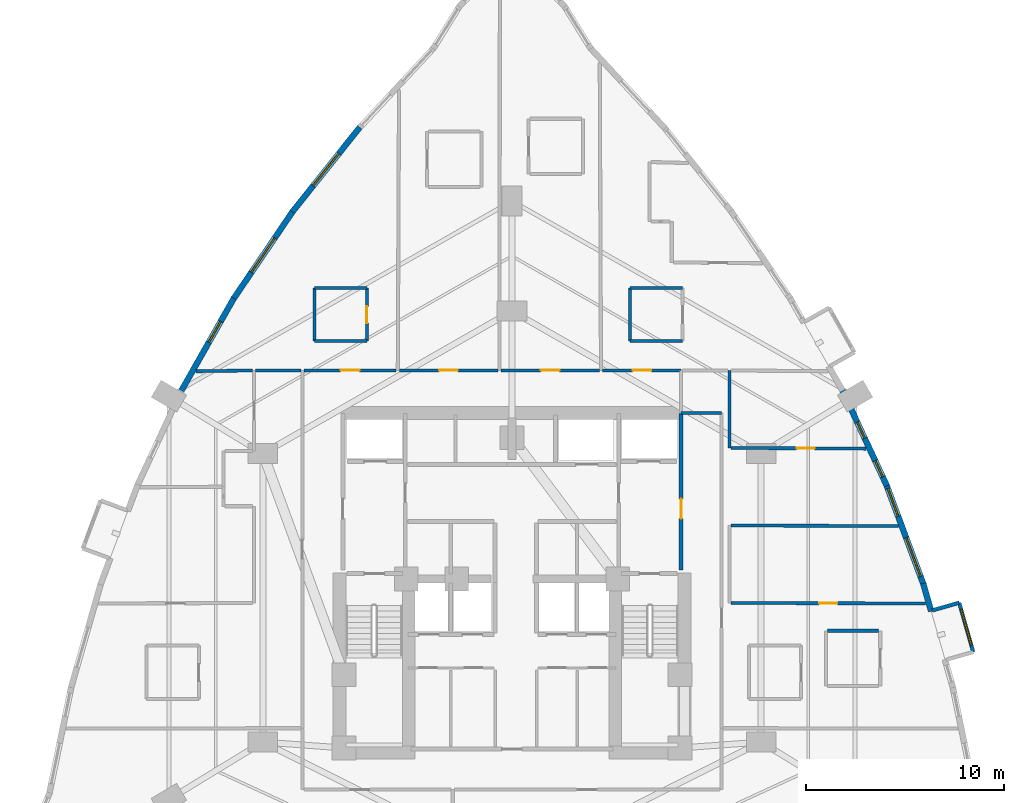
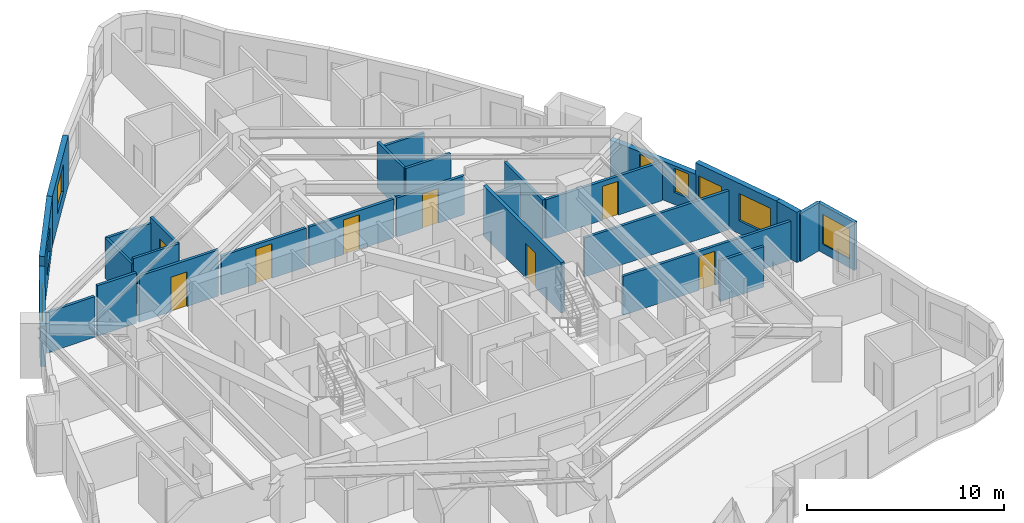
# One storey, part 10 of 13: 28 walls, 8 doors, 8 windows, 16 openings.
"""IFC4 building model written with IfcOpenShell, lengths in metres."""

import ifcopenshell
import ifcopenshell.guid

model = None  # the IFC model being written
_history = None  # IfcOwnerHistory: only IFC2X3 demands one
_inside = {}  # id of a spatial element -> (the spatial element, [elements in it])
_under = {}  # id of a project, library or spatial element -> (it, [spatial elements below it])
_declared = {}  # id of a project -> (the project, [libraries it declares])
_typed = {}  # id of a type object -> (the type object, [elements of that type])
_made_of = {}  # id of a material, layer set ... -> (it, [elements and type objects made of it])


def new_model(schema):
    """Start an empty IFC model of exactly this schema.

    Asked for "IFC4X3", IfcOpenShell would pick the latest addendum, in which some entities
    have other attributes; the version numbers below select the first issue.
    IFC2X3 requires an IfcOwnerHistory on every rooted entity: one is made here for all.
    """
    global model, _history
    if schema == "IFC4X3":
        model = ifcopenshell.file(schema_version=(4, 3, 0, 0))
    else:
        model = ifcopenshell.file(schema=schema)
    _inside.clear()
    _under.clear()
    _declared.clear()
    _typed.clear()
    _made_of.clear()
    _history = None
    if model.schema == "IFC2X3":
        org = make("IfcOrganization", Name="unknown")
        user = make(
            "IfcPersonAndOrganization",
            ThePerson=make("IfcPerson", FamilyName="unknown"),
            TheOrganization=org,
        )
        app = make(
            "IfcApplication",
            ApplicationDeveloper=org,
            Version="unknown",
            ApplicationFullName="unknown",
            ApplicationIdentifier="unknown",
        )
        _history = make(
            "IfcOwnerHistory",
            OwningUser=user,
            OwningApplication=app,
            ChangeAction="ADDED",
            CreationDate=0,
        )
    return model


def make(cls, **values):
    """One entity of the class cls with the attributes given. An attribute that is None is left unset."""
    return model.create_entity(
        cls, **{name: value for name, value in values.items() if value is not None}
    )


def rooted(cls, **values):
    """An entity with a GlobalId (a new one), such as an element, a storey or a relation."""
    return make(cls, GlobalId=ifcopenshell.guid.new(), OwnerHistory=_history, **values)


def si_unit(unit_type, name, prefix=None):
    """IfcSIUnit, for example si_unit("LENGTHUNIT", "METRE", prefix="MILLI")."""
    return make("IfcSIUnit", UnitType=unit_type, Prefix=prefix, Name=name)


def assignment(units):
    """IfcUnitAssignment: the units of a project."""
    return None if units is None else make("IfcUnitAssignment", Units=units)


def point(xyz):
    """IfcCartesianPoint."""
    return None if xyz is None else make("IfcCartesianPoint", Coordinates=xyz)


def direction(xyz):
    """IfcDirection."""
    return None if xyz is None else make("IfcDirection", DirectionRatios=xyz)


def frame(location, z_axis=None, x_axis=None):
    """IfcAxis2Placement3D, a coordinate frame: its origin and axes. An axis left out is left unset."""
    return make(
        "IfcAxis2Placement3D",
        Location=point(location),
        Axis=direction(z_axis),
        RefDirection=direction(x_axis),
    )


def frame_2d(location, x_axis=None):
    """IfcAxis2Placement2D, a coordinate frame in the plane: its origin and x axis."""
    return make(
        "IfcAxis2Placement2D", Location=point(location), RefDirection=direction(x_axis)
    )


def origin():
    """The frame at (0, 0, 0) with its axes left unset."""
    return frame((0.0, 0.0, 0.0))


def place(relative_to, where):
    """IfcLocalPlacement: puts the frame where relative to a parent placement (None: the world)."""
    return make(
        "IfcLocalPlacement", PlacementRelTo=relative_to, RelativePlacement=where
    )


def context(
    kind, dimensions, precision=None, world=None, true_north=None, identifier=None
):
    """IfcGeometricRepresentationContext, for example the 3D "Model" context."""
    return make(
        "IfcGeometricRepresentationContext",
        ContextIdentifier=identifier,
        ContextType=kind,
        CoordinateSpaceDimension=dimensions,
        Precision=precision,
        WorldCoordinateSystem=world,
        TrueNorth=true_north,
    )


def subcontext(parent, identifier, kind, view, scale=None):
    """IfcGeometricRepresentationSubContext, for example "Body" below "Model"."""
    return make(
        "IfcGeometricRepresentationSubContext",
        ContextIdentifier=identifier,
        ContextType=kind,
        ParentContext=parent,
        TargetScale=scale,
        TargetView=view,
    )


def project(units=None, contexts=None):
    """IfcProject with its units and contexts."""
    return rooted(
        "IfcProject",
        Name="project",
        RepresentationContexts=contexts,
        UnitsInContext=assignment(units),
    )


def spatial(cls, under=None, at=None, **own):
    """A site, building, storey or space (cls), placed at a placement, below another one or the project."""
    s = rooted(cls, ObjectPlacement=at, **own)
    if under is not None:
        _under.setdefault(under.id(), (under, []))[1].append(s)
    return s


def profile(cls, at=None, kind="AREA", **sizes):
    """A parametric profile (cls). Its sizes go by their IFC names, for example OverallWidth=200.0."""
    return make(cls, ProfileType=kind, Position=at, **sizes)


def rectangle(**sizes):
    """IfcRectangleProfileDef."""
    return profile("IfcRectangleProfileDef", **sizes)


def extrude(swept, where, along, depth):
    """IfcExtrudedAreaSolid: the profile swept, set in the frame where, extruded along a direction by depth."""
    return make(
        "IfcExtrudedAreaSolid",
        SweptArea=swept,
        Position=where,
        ExtrudedDirection=direction(along),
        Depth=depth,
    )


def shape(context_of_items, identifier, shape_type, items):
    """IfcShapeRepresentation: the items that make up one representation, for example the "Body"."""
    return make(
        "IfcShapeRepresentation",
        ContextOfItems=context_of_items,
        RepresentationIdentifier=identifier,
        RepresentationType=shape_type,
        Items=items,
    )


def material(Name=None, Category=None):
    """IfcMaterial."""
    return make("IfcMaterial", Name=Name, Category=Category)


def layer(
    of_material, thickness, ventilated=None, Name=None, Category=None, Priority=None
):
    """IfcMaterialLayer: one layer of a wall or slab, of a material (None: an air gap)."""
    return make(
        "IfcMaterialLayer",
        Material=of_material,
        LayerThickness=thickness,
        IsVentilated=ventilated,
        Name=Name,
        Category=Category,
        Priority=Priority,
    )


def layer_set(layers, Name=None):
    """IfcMaterialLayerSet."""
    return make("IfcMaterialLayerSet", MaterialLayers=layers, LayerSetName=Name)


def made_of(thing, what):
    """Note that an element or type object is made of a material, layer set ...; save() writes the relation."""
    if what is not None:
        _made_of.setdefault(what.id(), (what, []))[1].append(thing)
    return thing


def type_object(cls, material=None, **own):
    """A type object (cls), such as IfcWallType, which elements share."""
    return made_of(rooted(cls, **own), material)


def element(
    cls,
    number,
    at=None,
    inside=None,
    cuts=None,
    type_object=None,
    material=None,
    context=None,
    identifier="Body",
    shape_type=None,
    held_by="IfcProductDefinitionShape",
    body=None,
    shapes=None,
    **own,
):
    """One element of the class cls, such as IfcWall. Its Tag is "e" and its number.

    at: its placement. inside: the storey or other place that contains it. cuts: it is an
    opening in that element (IfcRelVoidsElement). A single representation is given by context,
    identifier, shape_type and body (its items); several are given by shapes. held_by: the class
    of the entity that holds the representations. save() writes the other relations.
    """
    e = rooted(cls, Tag="e%d" % number, ObjectPlacement=at, **own)
    if body is not None:
        shapes = [shape(context, identifier, shape_type, body)]
    if shapes is not None:
        e.Representation = make(held_by, Representations=shapes)
    if inside is not None:
        _inside.setdefault(inside.id(), (inside, []))[1].append(e)
    if cuts is not None:
        rooted(
            "IfcRelVoidsElement", RelatingBuildingElement=cuts, RelatedOpeningElement=e
        )
    if type_object is not None:
        _typed.setdefault(type_object.id(), (type_object, []))[1].append(e)
    return made_of(e, material)


def fill(opening, filler):
    """IfcRelFillsElement: the door or window that sits in an opening."""
    return rooted(
        "IfcRelFillsElement",
        RelatingOpeningElement=opening,
        RelatedBuildingElement=filler,
    )


def aggregate(whole, parts):
    """IfcRelAggregates: a whole, such as a stair, and the parts it consists of."""
    return rooted("IfcRelAggregates", RelatingObject=whole, RelatedObjects=parts)


def save(model, path):
    """Write the relations noted so far, then the file.

    IfcRelAggregates (storeys below a building ...), IfcRelContainedInSpatialStructure (elements
    in a storey), IfcRelDefinesByType, IfcRelAssociatesMaterial and IfcRelDeclares: one each for
    every whole, place, type object, material and project.
    """
    for whole, parts in _under.values():
        aggregate(whole, parts)
    for where, things in _inside.values():
        rooted(
            "IfcRelContainedInSpatialStructure",
            RelatedElements=things,
            RelatingStructure=where,
        )
    for kind, things in _typed.values():
        rooted("IfcRelDefinesByType", RelatedObjects=things, RelatingType=kind)
    for what, things in _made_of.values():
        rooted("IfcRelAssociatesMaterial", RelatedObjects=things, RelatingMaterial=what)
    for by, libraries in _declared.values():
        rooted("IfcRelDeclares", RelatingContext=by, RelatedDefinitions=libraries)
    model.write(path)


model = new_model("IFC4")

# Units and contexts
model_context = context("Model", 3, precision=1e-05, world=origin(), true_north=direction((0.0, 1.0)))
body_context = subcontext(model_context, "Body", "Model", "MODEL_VIEW")
ifc_project = project(units=[si_unit("LENGTHUNIT", "METRE"), si_unit("AREAUNIT", "SQUARE_METRE"), si_unit("VOLUMEUNIT", "CUBIC_METRE"), si_unit("PLANEANGLEUNIT", "RADIAN"), si_unit("MASSUNIT", "GRAM", prefix="KILO")], contexts=[model_context])

# Site, building, storey
site_placement = place(None, origin())
site = spatial("IfcSite", under=ifc_project, at=site_placement, CompositionType="ELEMENT")
building_placement = place(site_placement, origin())
building = spatial("IfcBuilding", under=site, at=building_placement, Name="Miruveldt Soraemaru", CompositionType="ELEMENT")
storey_placement = place(building_placement, frame((0.0, 0.0, 49.60009765625)))
storey = spatial("IfcBuildingStorey", under=building, at=storey_placement, Name="L13", CompositionType="ELEMENT", Elevation=49.60009765625)

# Wall
ifc_material_1 = material(Name="White powder-coated aluminium EN AW-6060 T6", Category="aluminium")
ifc_layer_1 = layer(ifc_material_1, 0.18994140625, Name="White powder-coated aluminium EN AW-6060 T6", Category="aluminium")
ifc_layer_set_1 = layer_set([ifc_layer_1], Name="White powder-coated aluminium EN AW-6060 T6")
wall_type_1 = type_object("IfcWallType", Name="WALL-BAY-ALU190", PredefinedType="SOLIDWALL", material=ifc_layer_set_1)
wall_1_placement = place(storey_placement, frame((66.62158203125, 42.850830078125, 0.0), z_axis=(0.0, 0.0, 1.0), x_axis=(-0.961452801096, -0.274970018845, 0.0)))
element("IfcWall", 1, at=wall_1_placement, inside=storey, type_object=wall_type_1, Name="L13 Bay Window Side Cheek 5R", PredefinedType="SOLIDWALL", context=body_context, shape_type="SweptSolid", body=[
    extrude(rectangle(XDim=1.425048828125, YDim=0.18994140625, at=frame_2d((0.71240234375, 0.0))), origin(), (0.0, 0.0, 1.0), 2.974853515625),
])

# Wall, opening, window
wall_2_placement = place(storey_placement, frame((67.33642578125, 40.35107421875, 0.0), z_axis=(0.0, 0.0, 1.0), x_axis=(-0.274944358644, 0.961460139397, 0.0)))
wall_2 = element("IfcWall", 2, at=wall_2_placement, inside=storey, type_object=wall_type_1, Name="L13 Bay Window Front Frame 5", PredefinedType="SOLIDWALL", context=body_context, shape_type="SweptSolid", body=[
    extrude(rectangle(XDim=2.599853515625, YDim=0.18994140625, at=frame_2d((1.2998046875, 0.0))), origin(), (0.0, 0.0, 1.0), 2.974853515625),
])
opening_1_placement = place(wall_2_placement, frame((0.35009765625, 0.0, 0.550048828125)))
opening_1 = element("IfcOpeningElement", 3, at=opening_1_placement, cuts=wall_2, Name="Opening WN-6", PredefinedType="OPENING", context=body_context, shape_type="SweptSolid", body=[
    extrude(rectangle(XDim=1.89990234375, YDim=1.85009765625, at=frame_2d((0.949951171875, 0.925048828125))), frame((0.0, 0.10498046875, 0.0), z_axis=(0.0, -1.0, 0.0), x_axis=(1.0, 0.0, 0.0)), (0.0, 0.0, 1.0), 0.2099609375),
])
ifc_material_2 = material(Name="Triple low-e insulated glazing", Category="glass")
window_type_1 = type_object("IfcWindowType", Name="WIN-BAYW-1900x1850", PartitioningType="SINGLE_PANEL", PredefinedType="WINDOW", material=ifc_material_2)
window_1_placement = place(opening_1_placement, origin())
window_1 = element("IfcWindow", 4, at=window_1_placement, inside=storey, type_object=window_type_1, Name="L13 Projecting Bay Window 5", OverallHeight=1.85009765625, OverallWidth=1.89990234375, PartitioningType="SINGLE_PANEL", PredefinedType="WINDOW", context=body_context, shape_type="SweptSolid", body=[
    extrude(rectangle(XDim=1.89990234375, YDim=1.85009765625, at=frame_2d((0.949951171875, 0.925048828125))), frame((0.0, 0.030029296875, 0.0), z_axis=(0.0, -1.0, 0.0), x_axis=(1.0, 0.0, 0.0)), (0.0, 0.0, 1.0), 0.06005859375),
])
fill(opening_1, window_1)

ifc_material_3 = material(Name="Precast concrete C45/55 (45 MPa)", Category="concrete")
ifc_layer_2 = layer(ifc_material_3, 0.300048828125, Name="Precast concrete C45/55 (45 MPa)", Category="concrete")
ifc_layer_set_2 = layer_set([ifc_layer_2], Name="Precast concrete C45/55 (45 MPa)")
wall_type_2 = type_object("IfcWallType", Name="WALL-EXT-PC300", PredefinedType="SOLIDWALL", material=ifc_layer_set_2)
wall_3_placement = place(storey_placement, frame((36.29931640625, 66.89990234375, 0.0), z_axis=(0.0, 0.0, 1.0), x_axis=(-0.623574647448, -0.781763812836, 0.0)))
wall_3 = element("IfcWall", 5, at=wall_3_placement, inside=storey, type_object=wall_type_2, Name="L13 Precast Concrete Facade Wall 8", PredefinedType="SOLIDWALL", context=body_context, shape_type="SweptSolid", body=[
    extrude(rectangle(XDim=5.477294921875, YDim=0.300048828125, at=frame_2d((2.73876953125, 0.0))), origin(), (0.0, 0.0, 1.0), 3.125),
])
opening_2_placement = place(wall_3_placement, frame((1.68798828125, 0.0, 0.800048828125)))
opening_2 = element("IfcOpeningElement", 6, at=opening_2_placement, cuts=wall_3, Name="Opening WN-1", PredefinedType="OPENING", context=body_context, shape_type="SweptSolid", body=[
    extrude(rectangle(XDim=2.10009765625, YDim=1.699951171875, at=frame_2d((1.050048828125, 0.85009765625))), frame((0.0, 0.16015625, 0.0), z_axis=(0.0, -1.0, 0.0), x_axis=(1.0, 0.0, 0.0)), (0.0, 0.0, 1.0), 0.320068359375),
])
window_type_2 = type_object("IfcWindowType", Name="WIN-PUNCH-2100x1700", PartitioningType="SINGLE_PANEL", PredefinedType="WINDOW", material=ifc_material_2)
window_2_placement = place(opening_2_placement, origin())
window_2 = element("IfcWindow", 7, at=window_2_placement, inside=storey, type_object=window_type_2, Name="L13 Punched Triple-Glazed Window 08.1", OverallHeight=1.699951171875, OverallWidth=2.10009765625, PartitioningType="SINGLE_PANEL", PredefinedType="WINDOW", context=body_context, shape_type="SweptSolid", body=[
    extrude(rectangle(XDim=2.10009765625, YDim=1.699951171875, at=frame_2d((1.050048828125, 0.85009765625))), frame((0.0, 0.030029296875, 0.0), z_axis=(0.0, -1.0, 0.0), x_axis=(1.0, 0.0, 0.0)), (0.0, 0.0, 1.0), 0.06005859375),
])
fill(opening_2, window_2)

wall_4_placement = place(storey_placement, frame((32.925048828125, 62.67431640625, 0.0), z_axis=(0.0, 0.0, 1.0), x_axis=(-0.560829186842, -0.827931532909, 0.0)))
wall_4 = element("IfcWall", 8, at=wall_4_placement, inside=storey, type_object=wall_type_2, Name="L13 Precast Concrete Facade Wall 9", PredefinedType="SOLIDWALL", context=body_context, shape_type="SweptSolid", body=[
    extrude(rectangle(XDim=5.41015625, YDim=0.300048828125, at=frame_2d((2.705078125, 0.0))), origin(), (0.0, 0.0, 1.0), 3.125),
])
opening_3_placement = place(wall_4_placement, frame((1.655029296875, 0.0, 0.800048828125)))
opening_3 = element("IfcOpeningElement", 9, at=opening_3_placement, cuts=wall_4, Name="Opening WN-1", PredefinedType="OPENING", context=body_context, shape_type="SweptSolid", body=[
    extrude(rectangle(XDim=2.10009765625, YDim=1.699951171875, at=frame_2d((1.050048828125, 0.85009765625))), frame((0.0, 0.16015625, 0.0), z_axis=(0.0, -1.0, 0.0), x_axis=(1.0, 0.0, 0.0)), (0.0, 0.0, 1.0), 0.320068359375),
])
window_3_placement = place(opening_3_placement, origin())
window_3 = element("IfcWindow", 10, at=window_3_placement, inside=storey, type_object=window_type_2, Name="L13 Punched Triple-Glazed Window 09.1", OverallHeight=1.699951171875, OverallWidth=2.10009765625, PartitioningType="SINGLE_PANEL", PredefinedType="WINDOW", context=body_context, shape_type="SweptSolid", body=[
    extrude(rectangle(XDim=2.10009765625, YDim=1.699951171875, at=frame_2d((1.050048828125, 0.85009765625))), frame((0.0, 0.030029296875, 0.0), z_axis=(0.0, -1.0, 0.0), x_axis=(1.0, 0.0, 0.0)), (0.0, 0.0, 1.0), 0.06005859375),
])
fill(opening_3, window_3)

wall_5_placement = place(storey_placement, frame((29.927734375, 58.25439453125, 0.0), z_axis=(0.0, 0.0, 1.0), x_axis=(-0.49335395055, -0.869828649492, 0.0)))
wall_5 = element("IfcWall", 11, at=wall_5_placement, inside=storey, type_object=wall_type_2, Name="L13 Precast Concrete Facade Wall 10", PredefinedType="SOLIDWALL", context=body_context, shape_type="SweptSolid", body=[
    extrude(rectangle(XDim=5.376708984375, YDim=0.300048828125, at=frame_2d((2.6884765625, 0.0))), origin(), (0.0, 0.0, 1.0), 2.512939453125),
])
opening_4_placement = place(wall_5_placement, frame((1.35791015625, 0.0, 0.780029296875)))
opening_4 = element("IfcOpeningElement", 12, at=opening_4_placement, cuts=wall_5, Name="Opening WN-4", PredefinedType="OPENING", context=body_context, shape_type="SweptSolid", body=[
    extrude(rectangle(XDim=1.199951171875, YDim=1.550048828125, at=frame_2d((0.60009765625, 0.77490234375))), frame((0.0, 0.16015625, 0.0), z_axis=(0.0, -1.0, 0.0), x_axis=(1.0, 0.0, 0.0)), (0.0, 0.0, 1.0), 0.320068359375),
])
window_type_3 = type_object("IfcWindowType", Name="WIN-PUNCH-1200x1550", PartitioningType="SINGLE_PANEL", PredefinedType="WINDOW", material=ifc_material_2)
window_4_placement = place(opening_4_placement, origin())
window_4 = element("IfcWindow", 13, at=window_4_placement, inside=storey, type_object=window_type_3, Name="L13 Punched Triple-Glazed Window 10.1", OverallHeight=1.550048828125, OverallWidth=1.199951171875, PartitioningType="SINGLE_PANEL", PredefinedType="WINDOW", context=body_context, shape_type="SweptSolid", body=[
    extrude(rectangle(XDim=1.199951171875, YDim=1.550048828125, at=frame_2d((0.60009765625, 0.77490234375))), frame((0.0, 0.030029296875, 0.0), z_axis=(0.0, -1.0, 0.0), x_axis=(1.0, 0.0, 0.0)), (0.0, 0.0, 1.0), 0.06005859375),
])
fill(opening_4, window_4)

# Wall
wall_6_placement = place(storey_placement, frame((65.206787109375, 42.4150390625, 0.0), z_axis=(0.0, 0.0, 1.0), x_axis=(-0.274940666796, 0.961461195131, 0.0)))
element("IfcWall", 14, at=wall_6_placement, inside=storey, type_object=wall_type_2, Name="L13 Precast Pier Wall 36B", PredefinedType="SOLIDWALL", context=body_context, shape_type="SweptSolid", body=[
    extrude(rectangle(XDim=1.46875, YDim=0.300048828125, at=frame_2d((0.734375, 0.0))), origin(), (0.0, 0.0, 1.0), 3.125),
])

# Wall, openings, windows
wall_7_placement = place(storey_placement, frame((64.82470703125, 43.760498046875, 0.0), z_axis=(0.0, 0.0, 1.0), x_axis=(-0.349025890183, 0.937113081747, 0.0)))
wall_7 = element("IfcWall", 15, at=wall_7_placement, inside=storey, type_object=wall_type_2, Name="L13 Precast Concrete Facade Wall 37", PredefinedType="SOLIDWALL", context=body_context, shape_type="SweptSolid", body=[
    extrude(rectangle(XDim=5.41064453125, YDim=0.300048828125, at=frame_2d((2.705322265625, 0.0))), origin(), (0.0, 0.0, 1.0), 3.125),
])
opening_5_placement = place(wall_7_placement, frame((0.444091796875, 0.0, 0.800048828125)))
opening_5 = element("IfcOpeningElement", 16, at=opening_5_placement, cuts=wall_7, Name="Opening WN-1", PredefinedType="OPENING", context=body_context, shape_type="SweptSolid", body=[
    extrude(rectangle(XDim=2.10009765625, YDim=1.699951171875, at=frame_2d((1.050048828125, 0.85009765625))), frame((0.0, 0.16015625, 0.0), z_axis=(0.0, -1.0, 0.0), x_axis=(1.0, 0.0, 0.0)), (0.0, 0.0, 1.0), 0.320068359375),
])
opening_6_placement = place(wall_7_placement, frame((3.68896484375, 0.0, 0.800048828125)))
opening_6 = element("IfcOpeningElement", 17, at=opening_6_placement, cuts=wall_7, Name="Opening WN-3", PredefinedType="OPENING", context=body_context, shape_type="SweptSolid", body=[
    extrude(rectangle(XDim=1.5, YDim=1.60009765625, at=frame_2d((0.75, 0.800048828125))), frame((0.0, 0.16015625, 0.0), z_axis=(0.0, -1.0, 0.0), x_axis=(1.0, 0.0, 0.0)), (0.0, 0.0, 1.0), 0.320068359375),
])
window_type_4 = type_object("IfcWindowType", Name="WIN-PUNCH-1500x1600", PartitioningType="SINGLE_PANEL", PredefinedType="WINDOW", material=ifc_material_2)
window_5_placement = place(opening_6_placement, origin())
window_5 = element("IfcWindow", 18, at=window_5_placement, inside=storey, type_object=window_type_4, Name="L13 Punched Triple-Glazed Window 37.2", OverallHeight=1.60009765625, OverallWidth=1.5, PartitioningType="SINGLE_PANEL", PredefinedType="WINDOW", context=body_context, shape_type="SweptSolid", body=[
    extrude(rectangle(XDim=1.5, YDim=1.60009765625, at=frame_2d((0.75, 0.800048828125))), frame((0.0, 0.030029296875, 0.0), z_axis=(0.0, -1.0, 0.0), x_axis=(1.0, 0.0, 0.0)), (0.0, 0.0, 1.0), 0.06005859375),
])
fill(opening_6, window_5)
window_6_placement = place(opening_5_placement, origin())
window_6 = element("IfcWindow", 19, at=window_6_placement, inside=storey, type_object=window_type_2, Name="L13 Punched Triple-Glazed Window 37.1", OverallHeight=1.699951171875, OverallWidth=2.10009765625, PartitioningType="SINGLE_PANEL", PredefinedType="WINDOW", context=body_context, shape_type="SweptSolid", body=[
    extrude(rectangle(XDim=2.10009765625, YDim=1.699951171875, at=frame_2d((1.050048828125, 0.85009765625))), frame((0.0, 0.030029296875, 0.0), z_axis=(0.0, -1.0, 0.0), x_axis=(1.0, 0.0, 0.0)), (0.0, 0.0, 1.0), 0.06005859375),
])
fill(opening_5, window_6)

wall_8_placement = place(storey_placement, frame((62.96337890625, 48.76611328125, 0.0), z_axis=(0.0, 0.0, 1.0), x_axis=(-0.422286297116, 0.90646251068, 0.0)))
wall_8 = element("IfcWall", 20, at=wall_8_placement, inside=storey, type_object=wall_type_2, Name="L13 Precast Concrete Facade Wall 38", PredefinedType="SOLIDWALL", context=body_context, shape_type="SweptSolid", body=[
    extrude(rectangle(XDim=5.376708984375, YDim=0.300048828125, at=frame_2d((2.6884765625, 0.0))), origin(), (0.0, 0.0, 1.0), 2.412841796875),
])
opening_7_placement = place(wall_8_placement, frame((0.5029296875, 0.0, 0.7529296875)))
opening_7 = element("IfcOpeningElement", 21, at=opening_7_placement, cuts=wall_8, Name="Opening WN-7", PredefinedType="OPENING", context=body_context, shape_type="SweptSolid", body=[
    extrude(rectangle(XDim=0.89990234375, YDim=1.5, at=frame_2d((0.449951171875, 0.75))), frame((0.0, 0.16015625, 0.0), z_axis=(0.0, -1.0, 0.0), x_axis=(1.0, 0.0, 0.0)), (0.0, 0.0, 1.0), 0.320068359375),
])
opening_8_placement = place(wall_8_placement, frame((2.652099609375, 0.0, 0.7529296875)))
opening_8 = element("IfcOpeningElement", 22, at=opening_8_placement, cuts=wall_8, Name="Opening WN-7", PredefinedType="OPENING", context=body_context, shape_type="SweptSolid", body=[
    extrude(rectangle(XDim=0.89990234375, YDim=1.5, at=frame_2d((0.449951171875, 0.75))), frame((0.0, 0.16015625, 0.0), z_axis=(0.0, -1.0, 0.0), x_axis=(1.0, 0.0, 0.0)), (0.0, 0.0, 1.0), 0.320068359375),
])
window_type_5 = type_object("IfcWindowType", Name="WIN-PUNCH-900x1500", PartitioningType="SINGLE_PANEL", PredefinedType="WINDOW", material=ifc_material_2)
window_7_placement = place(opening_7_placement, origin())
window_7 = element("IfcWindow", 23, at=window_7_placement, inside=storey, type_object=window_type_5, Name="L13 Punched Triple-Glazed Window 38.1", OverallHeight=1.5, OverallWidth=0.89990234375, PartitioningType="SINGLE_PANEL", PredefinedType="WINDOW", context=body_context, shape_type="SweptSolid", body=[
    extrude(rectangle(XDim=0.89990234375, YDim=1.5, at=frame_2d((0.449951171875, 0.75))), frame((0.0, 0.030029296875, 0.0), z_axis=(0.0, -1.0, 0.0), x_axis=(1.0, 0.0, 0.0)), (0.0, 0.0, 1.0), 0.06005859375),
])
fill(opening_7, window_7)
window_8_placement = place(opening_8_placement, origin())
window_8 = element("IfcWindow", 24, at=window_8_placement, inside=storey, type_object=window_type_5, Name="L13 Punched Triple-Glazed Window 38.2", OverallHeight=1.5, OverallWidth=0.89990234375, PartitioningType="SINGLE_PANEL", PredefinedType="WINDOW", context=body_context, shape_type="SweptSolid", body=[
    extrude(rectangle(XDim=0.89990234375, YDim=1.5, at=frame_2d((0.449951171875, 0.75))), frame((0.0, 0.030029296875, 0.0), z_axis=(0.0, -1.0, 0.0), x_axis=(1.0, 0.0, 0.0)), (0.0, 0.0, 1.0), 0.06005859375),
])
fill(opening_8, window_8)

# Wall, opening, door
ifc_material_4 = material(Name="Gypsum plasterboard lining", Category="gypsum")
ifc_layer_3 = layer(ifc_material_4, 0.14990234375, Name="Gypsum plasterboard lining", Category="gypsum")
ifc_layer_set_3 = layer_set([ifc_layer_3], Name="Gypsum plasterboard lining")
wall_type_3 = type_object("IfcWallType", Name="WALL-INT-PLUMB", PredefinedType="PLUMBINGWALL", material=ifc_layer_set_3)
wall_9_placement = place(storey_placement, frame((36.656982421875, 56.080078125, 0.0), z_axis=(0.0, 0.0, 1.0), x_axis=(0.0, 1.0, 0.0)))
wall_9 = element("IfcWall", 25, at=wall_9_placement, inside=storey, type_object=wall_type_3, Name="L13 Partition Wall 13", PredefinedType="PLUMBINGWALL", context=body_context, shape_type="SweptSolid", body=[
    extrude(rectangle(XDim=2.699951171875, YDim=0.14990234375, at=frame_2d((1.35009765625, 0.0))), origin(), (0.0, 0.0, 1.0), 2.86279296875),
])
opening_9_placement = place(wall_9_placement, frame((0.909912109375, 0.0, 0.0)))
opening_9 = element("IfcOpeningElement", 26, at=opening_9_placement, cuts=wall_9, Name="Opening FD3", PredefinedType="OPENING", context=body_context, shape_type="SweptSolid", body=[
    extrude(rectangle(XDim=0.85009765625, YDim=2.10009765625, at=frame_2d((0.425048828125, 1.050048828125))), frame((0.0, 0.0849609375, 0.0), z_axis=(0.0, -1.0, 0.0), x_axis=(1.0, 0.0, 0.0)), (0.0, 0.0, 1.0), 0.169921875),
])
ifc_material_5 = material(Name="Anodised aluminium EN AW-6063 T6", Category="aluminium")
door_type_1 = type_object("IfcDoorType", Name="DOOR-FD3-850", OperationType="NOTDEFINED", PredefinedType="DOOR", material=ifc_material_5)
door_1_placement = place(opening_9_placement, origin())
door_1 = element("IfcDoor", 27, at=door_1_placement, inside=storey, type_object=door_type_1, Name="L13 Unit CL01 BTH Door", OperationType="SINGLE_SWING_LEFT", OverallHeight=2.10009765625, OverallWidth=0.85009765625, PredefinedType="DOOR", context=body_context, shape_type="SweptSolid", body=[
    extrude(rectangle(XDim=0.85009765625, YDim=2.10009765625, at=frame_2d((0.425048828125, 1.050048828125))), frame((0.0, 0.02490234375, 0.0), z_axis=(0.0, -1.0, 0.0), x_axis=(1.0, 0.0, 0.0)), (0.0, 0.0, 1.0), 0.050048828125),
])
fill(opening_9, door_1)

# Walls
wall_10_placement = place(storey_placement, frame((34.007080078125, 58.780029296875, 0.0), z_axis=(0.0, 0.0, 1.0), x_axis=(0.0, -1.0, 0.0)))
element("IfcWall", 28, at=wall_10_placement, inside=storey, type_object=wall_type_3, Name="L13 Partition Wall 15", PredefinedType="PLUMBINGWALL", context=body_context, shape_type="SweptSolid", body=[
    extrude(rectangle(XDim=2.699951171875, YDim=0.14990234375, at=frame_2d((1.35009765625, 0.0))), origin(), (0.0, 0.0, 1.0), 2.512939453125),
])
wall_11_placement = place(storey_placement, frame((49.97998046875, 58.780029296875, 0.0), z_axis=(0.0, 0.0, 1.0), x_axis=(0.0, -1.0, 0.0)))
element("IfcWall", 29, at=wall_11_placement, inside=storey, type_object=wall_type_3, Name="L13 Partition Wall 32", PredefinedType="PLUMBINGWALL", context=body_context, shape_type="SweptSolid", body=[
    extrude(rectangle(XDim=2.699951171875, YDim=0.14990234375, at=frame_2d((1.35009765625, 0.0))), origin(), (0.0, 0.0, 1.0), 2.86279296875),
])
wall_12_placement = place(storey_placement, frame((52.6298828125, 58.780029296875, 0.0), z_axis=(0.0, 0.0, 1.0), x_axis=(-1.0, 0.0, 0.0)))
element("IfcWall", 30, at=wall_12_placement, inside=storey, type_object=wall_type_3, Name="L13 Partition Wall 31", PredefinedType="PLUMBINGWALL", context=body_context, shape_type="SweptSolid", body=[
    extrude(rectangle(XDim=2.64990234375, YDim=0.14990234375, at=frame_2d((1.324951171875, 0.0))), origin(), (0.0, 0.0, 1.0), 2.512939453125),
])
wall_13_placement = place(storey_placement, frame((49.97998046875, 56.080078125, 0.0), z_axis=(0.0, 0.0, 1.0), x_axis=(1.0, 0.0, 0.0)))
element("IfcWall", 31, at=wall_13_placement, inside=storey, type_object=wall_type_3, Name="L13 Partition Wall 33", PredefinedType="PLUMBINGWALL", context=body_context, shape_type="SweptSolid", body=[
    extrude(rectangle(XDim=2.64990234375, YDim=0.14990234375, at=frame_2d((1.324951171875, 0.0))), origin(), (0.0, 0.0, 1.0), 2.86279296875),
])
wall_14_placement = place(storey_placement, frame((36.656982421875, 58.780029296875, 0.0), z_axis=(0.0, 0.0, 1.0), x_axis=(-1.0, 0.0, 0.0)))
element("IfcWall", 32, at=wall_14_placement, inside=storey, type_object=wall_type_3, Name="L13 Partition Wall 14", PredefinedType="PLUMBINGWALL", context=body_context, shape_type="SweptSolid", body=[
    extrude(rectangle(XDim=2.64990234375, YDim=0.14990234375, at=frame_2d((1.324951171875, 0.0))), origin(), (0.0, 0.0, 1.0), 2.512939453125),
])
wall_15_placement = place(storey_placement, frame((34.007080078125, 56.080078125, 0.0), z_axis=(0.0, 0.0, 1.0), x_axis=(1.0, 0.0, 0.0)))
element("IfcWall", 33, at=wall_15_placement, inside=storey, type_object=wall_type_3, Name="L13 Partition Wall 16", PredefinedType="PLUMBINGWALL", context=body_context, shape_type="SweptSolid", body=[
    extrude(rectangle(XDim=2.64990234375, YDim=0.14990234375, at=frame_2d((1.324951171875, 0.0))), origin(), (0.0, 0.0, 1.0), 2.86279296875),
])

# Wall, opening, door
ifc_material_6 = material(Name="Concrete C40/50 (40 MPa)", Category="concrete")
ifc_layer_4 = layer(ifc_material_6, 0.159912109375, Name="Concrete C40/50 (40 MPa)", Category="concrete")
ifc_layer_set_4 = layer_set([ifc_layer_4], Name="Concrete C40/50 (40 MPa)")
wall_type_4 = type_object("IfcWallType", Name="WALL-INT-RC160", PredefinedType="SOLIDWALL", material=ifc_layer_set_4)
wall_16_placement = place(storey_placement, frame((64.922119140625, 42.81201171875, 0.0), z_axis=(0.0, 0.0, 1.0), x_axis=(-0.999997281473, 0.002331747686, 0.0)))
wall_16 = element("IfcWall", 34, at=wall_16_placement, inside=storey, type_object=wall_type_4, Name="L13 Partition Wall 62", PredefinedType="SOLIDWALL", context=body_context, shape_type="SweptSolid", body=[
    extrude(rectangle(XDim=9.842041015625, YDim=0.159912109375, at=frame_2d((4.9208984375, 0.0))), origin(), (0.0, 0.0, 1.0), 2.412841796875),
])
opening_10_placement = place(wall_16_placement, frame((4.4609375, 0.0, 0.0)))
opening_10 = element("IfcOpeningElement", 35, at=opening_10_placement, cuts=wall_16, Name="Opening D3A", PredefinedType="OPENING", context=body_context, shape_type="SweptSolid", body=[
    extrude(rectangle(XDim=0.919921875, YDim=2.10009765625, at=frame_2d((0.4599609375, 1.050048828125))), frame((0.0, 0.08984375, 0.0), z_axis=(0.0, -1.0, 0.0), x_axis=(1.0, 0.0, 0.0)), (0.0, 0.0, 1.0), 0.179931640625),
])
door_type_2 = type_object("IfcDoorType", Name="DOOR-INT-920", OperationType="NOTDEFINED", PredefinedType="DOOR", material=ifc_material_5)
door_2_placement = place(opening_10_placement, origin())
door_2 = element("IfcDoor", 36, at=door_2_placement, inside=storey, type_object=door_type_2, Name="L13 Unit 1306 BD1 Door", OperationType="SINGLE_SWING_RIGHT", OverallHeight=2.10009765625, OverallWidth=0.919921875, PredefinedType="DOOR", context=body_context, shape_type="SweptSolid", body=[
    extrude(rectangle(XDim=0.919921875, YDim=2.10009765625, at=frame_2d((0.4599609375, 1.050048828125))), frame((0.0, 0.02490234375, 0.0), z_axis=(0.0, -1.0, 0.0), x_axis=(1.0, 0.0, 0.0)), (0.0, 0.0, 1.0), 0.050048828125),
])
fill(opening_10, door_2)

wall_17_placement = place(storey_placement, frame((61.906982421875, 50.64208984375, 0.0), z_axis=(0.0, 0.0, 1.0), x_axis=(-0.999986182542, 0.005256874042, 0.0)))
wall_17 = element("IfcWall", 37, at=wall_17_placement, inside=storey, type_object=wall_type_4, Name="L13 Partition Wall 65", PredefinedType="SOLIDWALL", context=body_context, shape_type="SweptSolid", body=[
    extrude(rectangle(XDim=6.826904296875, YDim=0.159912109375, at=frame_2d((3.41357421875, 0.0))), origin(), (0.0, 0.0, 1.0), 2.412841796875),
])
opening_11_placement = place(wall_17_placement, frame((2.593994140625, 0.0, 0.0)))
opening_11 = element("IfcOpeningElement", 38, at=opening_11_placement, cuts=wall_17, Name="Opening D3A", PredefinedType="OPENING", context=body_context, shape_type="SweptSolid", body=[
    extrude(rectangle(XDim=0.919921875, YDim=2.10009765625, at=frame_2d((0.4599609375, 1.050048828125))), frame((0.0, 0.08984375, 0.0), z_axis=(0.0, -1.0, 0.0), x_axis=(1.0, 0.0, 0.0)), (0.0, 0.0, 1.0), 0.179931640625),
])
door_3_placement = place(opening_11_placement, origin())
door_3 = element("IfcDoor", 39, at=door_3_placement, inside=storey, type_object=door_type_2, Name="L13 Unit 1306 EXT Door", OperationType="SINGLE_SWING_LEFT", OverallHeight=2.10009765625, OverallWidth=0.919921875, PredefinedType="DOOR", context=body_context, shape_type="SweptSolid", body=[
    extrude(rectangle(XDim=0.919921875, YDim=2.10009765625, at=frame_2d((0.4599609375, 1.050048828125))), frame((0.0, 0.02490234375, 0.0), z_axis=(0.0, -1.0, 0.0), x_axis=(1.0, 0.0, 0.0)), (0.0, 0.0, 1.0), 0.050048828125),
])
fill(opening_11, door_3)

wall_18_placement = place(storey_placement, frame((43.281982421875, 54.60009765625, 0.0), z_axis=(0.0, 0.0, 1.0), x_axis=(-1.0, 0.0, 0.0)))
wall_18 = element("IfcWall", 40, at=wall_18_placement, inside=storey, type_object=wall_type_4, Name="L13 Partition Wall 2", PredefinedType="SOLIDWALL", context=body_context, shape_type="SweptSolid", body=[
    extrude(rectangle(XDim=4.97900390625, YDim=0.159912109375, at=frame_2d((2.489501953125, 0.0))), origin(), (0.0, 0.0, 1.0), 2.412841796875),
])
opening_12_placement = place(wall_18_placement, frame((2.013916015625, 0.0, 0.0)))
opening_12 = element("IfcOpeningElement", 41, at=opening_12_placement, cuts=wall_18, Name="Opening FD2", PredefinedType="OPENING", context=body_context, shape_type="SweptSolid", body=[
    extrude(rectangle(XDim=0.949951171875, YDim=2.14990234375, at=frame_2d((0.47509765625, 1.074951171875))), frame((0.0, 0.08984375, 0.0), z_axis=(0.0, -1.0, 0.0), x_axis=(1.0, 0.0, 0.0)), (0.0, 0.0, 1.0), 0.179931640625),
])
door_type_3 = type_object("IfcDoorType", Name="DOOR-FD2-950", OperationType="NOTDEFINED", PredefinedType="DOOR", material=ifc_material_5)
door_4_placement = place(opening_12_placement, origin())
door_4 = element("IfcDoor", 42, at=door_4_placement, inside=storey, type_object=door_type_3, Name="L13 Unit CL02 Entrance Fire Door", OperationType="SINGLE_SWING_RIGHT", OverallHeight=2.14990234375, OverallWidth=0.949951171875, PredefinedType="DOOR", context=body_context, shape_type="SweptSolid", body=[
    extrude(rectangle(XDim=0.949951171875, YDim=2.14990234375, at=frame_2d((0.47509765625, 1.074951171875))), frame((0.0, 0.02490234375, 0.0), z_axis=(0.0, -1.0, 0.0), x_axis=(1.0, 0.0, 0.0)), (0.0, 0.0, 1.0), 0.050048828125),
])
fill(opening_12, door_4)

wall_19_placement = place(storey_placement, frame((48.419921875, 54.60009765625, 0.0), z_axis=(0.0, 0.0, 1.0), x_axis=(-1.0, 0.0, 0.0)))
wall_19 = element("IfcWall", 43, at=wall_19_placement, inside=storey, type_object=wall_type_4, Name="L13 Partition Wall 3", PredefinedType="SOLIDWALL", context=body_context, shape_type="SweptSolid", body=[
    extrude(rectangle(XDim=4.97802734375, YDim=0.159912109375, at=frame_2d((2.489013671875, 0.0))), origin(), (0.0, 0.0, 1.0), 2.412841796875),
])
opening_13_placement = place(wall_19_placement, frame((2.013916015625, 0.0, 0.0)))
opening_13 = element("IfcOpeningElement", 44, at=opening_13_placement, cuts=wall_19, Name="Opening FD2", PredefinedType="OPENING", context=body_context, shape_type="SweptSolid", body=[
    extrude(rectangle(XDim=0.949951171875, YDim=2.14990234375, at=frame_2d((0.47509765625, 1.074951171875))), frame((0.0, 0.08984375, 0.0), z_axis=(0.0, -1.0, 0.0), x_axis=(1.0, 0.0, 0.0)), (0.0, 0.0, 1.0), 0.179931640625),
])
door_5_placement = place(opening_13_placement, origin())
door_5 = element("IfcDoor", 45, at=door_5_placement, inside=storey, type_object=door_type_3, Name="L13 Unit CL03 Entrance Fire Door", OperationType="SINGLE_SWING_RIGHT", OverallHeight=2.14990234375, OverallWidth=0.949951171875, PredefinedType="DOOR", context=body_context, shape_type="SweptSolid", body=[
    extrude(rectangle(XDim=0.949951171875, YDim=2.14990234375, at=frame_2d((0.47509765625, 1.074951171875))), frame((0.0, 0.02490234375, 0.0), z_axis=(0.0, -1.0, 0.0), x_axis=(1.0, 0.0, 0.0)), (0.0, 0.0, 1.0), 0.050048828125),
])
fill(opening_13, door_5)

wall_20_placement = place(storey_placement, frame((38.14306640625, 54.60009765625, 0.0), z_axis=(0.0, 0.0, 1.0), x_axis=(-1.0, 0.0, 0.0)))
wall_20 = element("IfcWall", 46, at=wall_20_placement, inside=storey, type_object=wall_type_4, Name="L13 Partition Wall 1", PredefinedType="SOLIDWALL", context=body_context, shape_type="SweptSolid", body=[
    extrude(rectangle(XDim=4.6630859375, YDim=0.159912109375, at=frame_2d((2.33154296875, 0.0))), origin(), (0.0, 0.0, 1.0), 2.86279296875),
])
opening_14_placement = place(wall_20_placement, frame((1.85693359375, 0.0, 0.0)))
opening_14 = element("IfcOpeningElement", 47, at=opening_14_placement, cuts=wall_20, Name="Opening FD2", PredefinedType="OPENING", context=body_context, shape_type="SweptSolid", body=[
    extrude(rectangle(XDim=0.949951171875, YDim=2.14990234375, at=frame_2d((0.47509765625, 1.074951171875))), frame((0.0, 0.08984375, 0.0), z_axis=(0.0, -1.0, 0.0), x_axis=(1.0, 0.0, 0.0)), (0.0, 0.0, 1.0), 0.179931640625),
])
door_6_placement = place(opening_14_placement, origin())
door_6 = element("IfcDoor", 48, at=door_6_placement, inside=storey, type_object=door_type_3, Name="L13 Unit CL01 Entrance Fire Door", OperationType="SINGLE_SWING_RIGHT", OverallHeight=2.14990234375, OverallWidth=0.949951171875, PredefinedType="DOOR", context=body_context, shape_type="SweptSolid", body=[
    extrude(rectangle(XDim=0.949951171875, YDim=2.14990234375, at=frame_2d((0.47509765625, 1.074951171875))), frame((0.0, 0.02490234375, 0.0), z_axis=(0.0, -1.0, 0.0), x_axis=(1.0, 0.0, 0.0)), (0.0, 0.0, 1.0), 0.050048828125),
])
fill(opening_14, door_6)

wall_21_placement = place(storey_placement, frame((52.56005859375, 54.60009765625, 0.0), z_axis=(0.0, 0.0, 1.0), x_axis=(-1.0, 0.0, 0.0)))
wall_21 = element("IfcWall", 49, at=wall_21_placement, inside=storey, type_object=wall_type_4, Name="L13 Partition Wall 4", PredefinedType="SOLIDWALL", context=body_context, shape_type="SweptSolid", body=[
    extrude(rectangle(XDim=3.97705078125, YDim=0.159912109375, at=frame_2d((1.988525390625, 0.0))), origin(), (0.0, 0.0, 1.0), 2.412841796875),
])
opening_15_placement = place(wall_21_placement, frame((1.513916015625, 0.0, 0.0)))
opening_15 = element("IfcOpeningElement", 50, at=opening_15_placement, cuts=wall_21, Name="Opening FD2", PredefinedType="OPENING", context=body_context, shape_type="SweptSolid", body=[
    extrude(rectangle(XDim=0.949951171875, YDim=2.14990234375, at=frame_2d((0.47509765625, 1.074951171875))), frame((0.0, 0.08984375, 0.0), z_axis=(0.0, -1.0, 0.0), x_axis=(1.0, 0.0, 0.0)), (0.0, 0.0, 1.0), 0.179931640625),
])
door_7_placement = place(opening_15_placement, origin())
door_7 = element("IfcDoor", 51, at=door_7_placement, inside=storey, type_object=door_type_3, Name="L13 Unit 1304 Entrance Fire Door", OperationType="SINGLE_SWING_RIGHT", OverallHeight=2.14990234375, OverallWidth=0.949951171875, PredefinedType="DOOR", context=body_context, shape_type="SweptSolid", body=[
    extrude(rectangle(XDim=0.949951171875, YDim=2.14990234375, at=frame_2d((0.47509765625, 1.074951171875))), frame((0.0, 0.02490234375, 0.0), z_axis=(0.0, -1.0, 0.0), x_axis=(1.0, 0.0, 0.0)), (0.0, 0.0, 1.0), 0.050048828125),
])
fill(opening_15, door_7)

# Walls
wall_22_placement = place(storey_placement, frame((55.080078125, 46.757080078125, 0.0), z_axis=(0.0, 0.0, 1.0), x_axis=(0.999993706119, -0.003547918134, 0.0)))
element("IfcWall", 52, at=wall_22_placement, inside=storey, type_object=wall_type_4, Name="L13 Partition Wall 64", PredefinedType="SOLIDWALL", context=body_context, shape_type="SweptSolid", body=[
    extrude(rectangle(XDim=8.4638671875, YDim=0.159912109375, at=frame_2d((4.23193359375, 0.0))), origin(), (0.0, 0.0, 1.0), 2.412841796875),
])
wall_23_placement = place(storey_placement, frame((55.0, 50.677978515625, 0.0), z_axis=(0.0, 0.0, 1.0), x_axis=(0.0, 1.0, 0.0)))
element("IfcWall", 53, at=wall_23_placement, inside=storey, type_object=wall_type_4, Name="L13 Partition Wall 66", PredefinedType="SOLIDWALL", context=body_context, shape_type="SweptSolid", body=[
    extrude(rectangle(XDim=3.922119140625, YDim=0.159912109375, at=frame_2d((1.9609375, 0.0))), origin(), (0.0, 0.0, 1.0), 2.412841796875),
])
wall_24_placement = place(storey_placement, frame((28.02099609375, 54.55810546875, 0.0), z_axis=(0.0, 0.0, 1.0), x_axis=(0.999896395323, 0.014394395408, 0.0)))
element("IfcWall", 54, at=wall_24_placement, inside=storey, type_object=wall_type_4, Name="L13 Partition Wall 19", PredefinedType="SOLIDWALL", context=body_context, shape_type="SweptSolid", body=[
    extrude(rectangle(XDim=2.849365234375, YDim=0.159912109375, at=frame_2d((1.4248046875, 0.0))), origin(), (0.0, 0.0, 1.0), 2.512939453125),
])
wall_25_placement = place(storey_placement, frame((62.550048828125, 41.429931640625, 0.0), z_axis=(0.0, 0.0, 1.0), x_axis=(-1.0, 0.0, 0.0)))
element("IfcWall", 55, at=wall_25_placement, inside=storey, type_object=wall_type_4, Name="L13 Partition Wall 59", PredefinedType="SOLIDWALL", context=body_context, shape_type="SweptSolid", body=[
    extrude(rectangle(XDim=2.590087890625, YDim=0.159912109375, at=frame_2d((1.294921875, 0.0))), origin(), (0.0, 0.0, 1.0), 2.512939453125),
])
wall_26_placement = place(storey_placement, frame((31.032958984375, 54.60009765625, 0.0), z_axis=(0.0, 0.0, 1.0), x_axis=(1.0, 0.0, 0.0)))
element("IfcWall", 56, at=wall_26_placement, inside=storey, type_object=wall_type_4, Name="L13 Partition Wall 18", PredefinedType="SOLIDWALL", context=body_context, shape_type="SweptSolid", body=[
    extrude(rectangle(XDim=2.283935546875, YDim=0.159912109375, at=frame_2d((1.14208984375, 0.0))), origin(), (0.0, 0.0, 1.0), 3.125),
])
wall_27_placement = place(storey_placement, frame((54.60009765625, 52.449951171875, 0.0), z_axis=(0.0, 0.0, 1.0), x_axis=(-1.0, 0.0, 0.0)))
element("IfcWall", 57, at=wall_27_placement, inside=storey, type_object=wall_type_4, Name="L13 Partition Wall 8", PredefinedType="SOLIDWALL", context=body_context, shape_type="SweptSolid", body=[
    extrude(rectangle(XDim=2.050048828125, YDim=0.159912109375, at=frame_2d((1.02490234375, 0.0))), origin(), (0.0, 0.0, 1.0), 2.412841796875),
])

# Wall, opening, door
ifc_layer_5 = layer(ifc_material_6, 0.199951171875, Name="Concrete C40/50 (40 MPa)", Category="concrete")
ifc_layer_set_5 = layer_set([ifc_layer_5], Name="Concrete C40/50 (40 MPa)")
wall_type_5 = type_object("IfcWallType", Name="WALL-INT-RC200", PredefinedType="SOLIDWALL", material=ifc_layer_set_5)
wall_28_placement = place(storey_placement, frame((52.550048828125, 44.5, 0.0), z_axis=(0.0, 0.0, 1.0), x_axis=(0.0, 1.0, 0.0)))
wall_28 = element("IfcWall", 58, at=wall_28_placement, inside=storey, type_object=wall_type_5, Name="L13 Core Compartment Wall FFE-OUT", PredefinedType="SOLIDWALL", context=body_context, shape_type="SweptSolid", body=[
    extrude(rectangle(XDim=7.919921875, YDim=0.199951171875, at=frame_2d((3.9599609375, 0.0))), origin(), (0.0, 0.0, 1.0), 3.125),
])
opening_16_placement = place(wall_28_placement, frame((2.60009765625, 0.0, 0.0)))
opening_16 = element("IfcOpeningElement", 59, at=opening_16_placement, cuts=wall_28, Name="Opening FD1", PredefinedType="OPENING", context=body_context, shape_type="SweptSolid", body=[
    extrude(rectangle(XDim=1.0, YDim=2.14990234375, at=frame_2d((0.5, 1.074951171875))), frame((0.0, 0.10986328125, 0.0), z_axis=(0.0, -1.0, 0.0), x_axis=(1.0, 0.0, 0.0)), (0.0, 0.0, 1.0), 0.219970703125),
])
door_type_4 = type_object("IfcDoorType", Name="DOOR-FD1-1000", OperationType="NOTDEFINED", PredefinedType="DOOR", material=ifc_material_5)
door_8_placement = place(opening_16_placement, frame((1.0, 0.0, 0.0), z_axis=(0.0, 0.0, 1.0), x_axis=(-1.0, 0.0, 0.0)))
door_8 = element("IfcDoor", 60, at=door_8_placement, inside=storey, type_object=door_type_4, Name="L13 East Firefighting Lobby Exit Door", OperationType="SINGLE_SWING_RIGHT", OverallHeight=2.14990234375, OverallWidth=1.0, PredefinedType="DOOR", context=body_context, shape_type="SweptSolid", body=[
    extrude(rectangle(XDim=1.0, YDim=2.14990234375, at=frame_2d((0.5, 1.074951171875))), frame((0.0, 0.02490234375, 0.0), z_axis=(0.0, -1.0, 0.0), x_axis=(1.0, 0.0, 0.0)), (0.0, 0.0, 1.0), 0.050048828125),
])
fill(opening_16, door_8)

save(model, "model.ifc")
